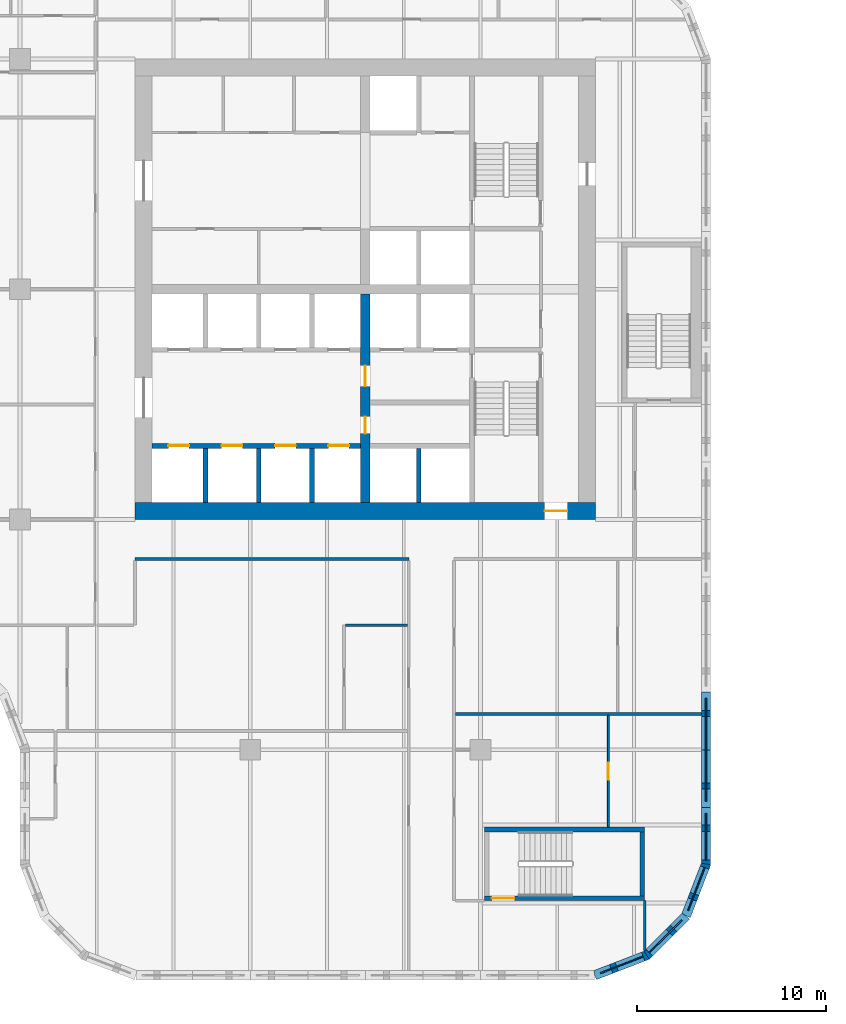
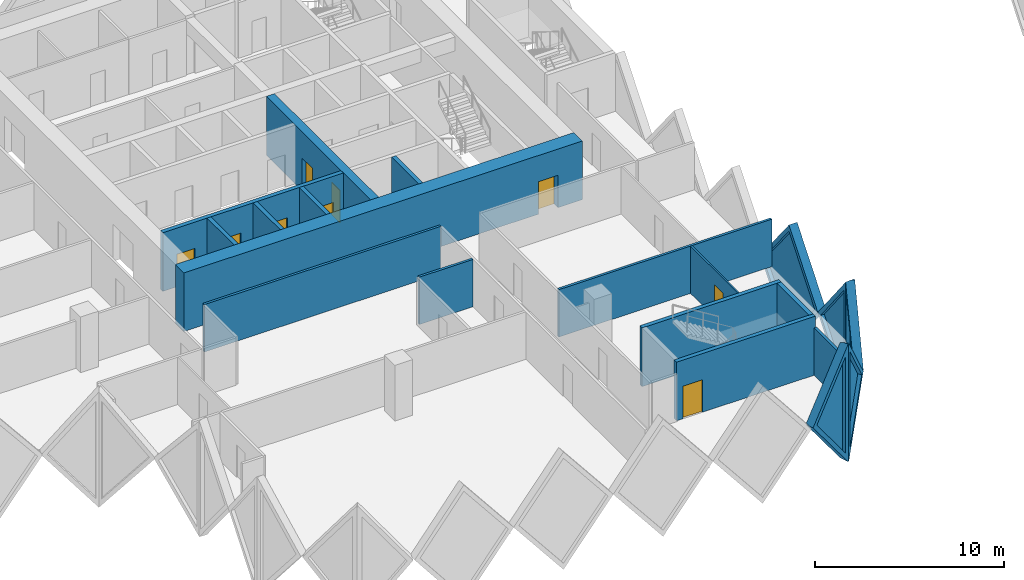
# One storey, part 6 of 18: 20 walls, 9 doors, 5 plates, 14 openings.
"""IFC4 building model written with IfcOpenShell, lengths in metres."""

from ifc_helpers import new_model, si_unit, direction, frame, frame_2d, origin, place, context, subcontext, project, spatial, polyline, rectangle, outline, extrude, faceted_brep, source, transform, mapped, material, layer, layer_set, type_object, element, fill, save


model = new_model("IFC4")

# Units and contexts
model_context = context("Model", 3, precision=1e-05, world=origin(), true_north=direction((0.0, 1.0)))
body_context = subcontext(model_context, "Body", "Model", "MODEL_VIEW")
ifc_project = project(units=[si_unit("LENGTHUNIT", "METRE"), si_unit("AREAUNIT", "SQUARE_METRE"), si_unit("VOLUMEUNIT", "CUBIC_METRE"), si_unit("PLANEANGLEUNIT", "RADIAN"), si_unit("MASSUNIT", "GRAM", prefix="KILO")], contexts=[model_context])

# Site, building, storey
site_placement = place(None, origin())
site = spatial("IfcSite", under=ifc_project, at=site_placement, CompositionType="ELEMENT")
building_placement = place(site_placement, origin())
building = spatial("IfcBuilding", under=site, at=building_placement, Name="Tessera Gate Towers", CompositionType="ELEMENT")
storey_placement = place(building_placement, frame((0.0, 0.0, 37.199951171875)))
storey = spatial("IfcBuildingStorey", under=building, at=storey_placement, Name="L08", CompositionType="ELEMENT", Elevation=37.199951171875)

# Wall, openings, doors
ifc_material_1 = material(Name="Concrete C40/50", Category="concrete")
ifc_layer_1 = layer(ifc_material_1, 0.25)
ifc_layer_set_1 = layer_set([ifc_layer_1], Name="CORE ENCLOSURE WALL 250")
wall_type_1 = type_object("IfcWallType", Name="CORE ENCLOSURE WALL 250", PredefinedType="SOLIDWALL", material=ifc_layer_set_1)
wall_1_placement = place(storey_placement, frame((31.39990234375, 28.300048828125, 0.0), z_axis=(0.0, 0.0, 1.0), x_axis=(1.0, 0.0, 0.0)))
wall_1 = element("IfcWall", 1, at=wall_1_placement, inside=storey, type_object=wall_type_1, Name="L08 shaft and stair enclosure wall", PredefinedType="SOLIDWALL", context=body_context, shape_type="SweptSolid", body=[
    extrude(rectangle(XDim=11.050048828125, YDim=0.25, at=frame_2d((5.52490234375, 0.0))), origin(), (0.0, 0.0, 1.0), 3.800048828125),
])
shared_shape_1 = source(origin(), body_context, "Body", "SweptSolid", [
    extrude(rectangle(XDim=1.10009765625, YDim=2.10009765625, at=frame_2d((0.550048828125, 1.050048828125))), frame((0.0, 0.135009765625, 0.0), z_axis=(0.0, -1.0, 0.0), x_axis=(1.0, 0.0, 0.0)), (0.0, 0.0, 1.0), 0.27001953125),
])
opening_1_placement = place(wall_1_placement, frame((0.862548828125, 0.0, 0.0)))
opening_1 = element("IfcOpeningElement", 2, at=opening_1_placement, cuts=wall_1, Name="Opening LD-LR1", PredefinedType="OPENING", context=body_context, shape_type="MappedRepresentation", body=[
    mapped(shared_shape_1, transform((0.0, 0.0, 0.0), scale=1.0)),
])
opening_2_placement = place(wall_1_placement, frame((3.6875, 0.0, 0.0)))
opening_2 = element("IfcOpeningElement", 3, at=opening_2_placement, cuts=wall_1, Name="Opening LD-LR2", PredefinedType="OPENING", context=body_context, shape_type="MappedRepresentation", body=[
    mapped(shared_shape_1, transform((0.0, 0.0, 0.0), scale=1.0)),
])
opening_3_placement = place(wall_1_placement, frame((6.512451171875, 0.0, 0.0)))
opening_3 = element("IfcOpeningElement", 4, at=opening_3_placement, cuts=wall_1, Name="Opening LD-LR3", PredefinedType="OPENING", context=body_context, shape_type="MappedRepresentation", body=[
    mapped(shared_shape_1, transform((0.0, 0.0, 0.0), scale=1.0)),
])
opening_4_placement = place(wall_1_placement, frame((9.33740234375, 0.0, 0.0)))
opening_4 = element("IfcOpeningElement", 5, at=opening_4_placement, cuts=wall_1, Name="Opening LD-LR4", PredefinedType="OPENING", context=body_context, shape_type="MappedRepresentation", body=[
    mapped(shared_shape_1, transform((0.0, 0.0, 0.0), scale=1.0)),
])
ifc_material_2 = material(Name="Stainless steel", Category="steel")
door_type_1 = type_object("IfcDoorType", Name="CORE DOOR LD 1100x2100", OperationType="DOUBLE_DOOR_SLIDING", PredefinedType="DOOR", material=ifc_material_2)
shared_shape_2 = source(origin(), body_context, "Body", "SweptSolid", [
    extrude(rectangle(XDim=1.10009765625, YDim=2.10009765625, at=frame_2d((0.550048828125, 1.050048828125))), frame((0.0, 0.02490234375, 0.0), z_axis=(0.0, -1.0, 0.0), x_axis=(1.0, 0.0, 0.0)), (0.0, 0.0, 1.0), 0.050048828125),
])
door_1_placement = place(opening_1_placement, origin())
door_1 = element("IfcDoor", 6, at=door_1_placement, inside=storey, type_object=door_type_1, Name="Landing door LR1 L08", OperationType="DOUBLE_DOOR_SLIDING", OverallHeight=2.10009765625, OverallWidth=1.10009765625, PredefinedType="DOOR", context=body_context, shape_type="MappedRepresentation", body=[
    mapped(shared_shape_2, transform((0.0, 0.0, 0.0), scale=1.0)),
])
fill(opening_1, door_1)
door_2_placement = place(opening_2_placement, origin())
door_2 = element("IfcDoor", 7, at=door_2_placement, inside=storey, type_object=door_type_1, Name="Landing door LR2 L08", OperationType="DOUBLE_DOOR_SLIDING", OverallHeight=2.10009765625, OverallWidth=1.10009765625, PredefinedType="DOOR", context=body_context, shape_type="MappedRepresentation", body=[
    mapped(shared_shape_2, transform((0.0, 0.0, 0.0), scale=1.0)),
])
fill(opening_2, door_2)
door_3_placement = place(opening_3_placement, origin())
door_3 = element("IfcDoor", 8, at=door_3_placement, inside=storey, type_object=door_type_1, Name="Landing door LR3 L08", OperationType="DOUBLE_DOOR_SLIDING", OverallHeight=2.10009765625, OverallWidth=1.10009765625, PredefinedType="DOOR", context=body_context, shape_type="MappedRepresentation", body=[
    mapped(shared_shape_2, transform((0.0, 0.0, 0.0), scale=1.0)),
])
fill(opening_3, door_3)
door_4_placement = place(opening_4_placement, origin())
door_4 = element("IfcDoor", 9, at=door_4_placement, inside=storey, type_object=door_type_1, Name="Landing door LR4 L08", OperationType="DOUBLE_DOOR_SLIDING", OverallHeight=2.10009765625, OverallWidth=1.10009765625, PredefinedType="DOOR", context=body_context, shape_type="MappedRepresentation", body=[
    mapped(shared_shape_2, transform((0.0, 0.0, 0.0), scale=1.0)),
])
fill(opening_4, door_4)

# Walls
for number, where, z_axis, x_axis, name in (
    (10, (34.22509765625, 25.300048828125, 0.0), (0.0, 0.0, 1.0), (0.0, 1.0, 0.0), "L08 shaft and stair enclosure wall"),
    (11, (37.050048828125, 25.300048828125, 0.0), (0.0, 0.0, 1.0), (0.0, 1.0, 0.0), "L08 shaft and stair enclosure wall"),
    (12, (39.875, 25.300048828125, 0.0), (0.0, 0.0, 1.0), (0.0, 1.0, 0.0), "L08 shaft and stair enclosure wall"),
    (13, (45.52490234375, 25.300048828125, 0.0), (0.0, 0.0, 1.0), (0.0, 1.0, 0.0), "L08 shaft and stair enclosure wall"),
):
    element("IfcWall", number, at=place(storey_placement, frame(where, z_axis=z_axis, x_axis=x_axis)), inside=storey, type_object=wall_type_1, Name=name, PredefinedType="SOLIDWALL", context=body_context, shape_type="SweptSolid", body=[
        extrude(rectangle(XDim=2.875, YDim=0.25, at=frame_2d((1.4375, 0.0))), origin(), (0.0, 0.0, 1.0), 3.800048828125),
    ])

# Wall, opening, door
wall_2_placement = place(storey_placement, frame((57.5, 4.324951171875, 0.0), z_axis=(0.0, 0.0, 1.0), x_axis=(-1.0, 0.0, 0.0)))
wall_2 = element("IfcWall", 14, at=wall_2_placement, inside=storey, type_object=wall_type_1, Name="L08 ST4 enclosure wall", PredefinedType="SOLIDWALL", context=body_context, shape_type="SweptSolid", body=[
    extrude(rectangle(XDim=8.5, YDim=0.25, at=frame_2d((4.25, 0.0))), origin(), (0.0, 0.0, 1.0), 3.800048828125),
])
shared_shape_3 = source(origin(), body_context, "Body", "SweptSolid", [
    extrude(rectangle(XDim=1.199951171875, YDim=2.10009765625, at=frame_2d((0.60009765625, 1.050048828125))), frame((0.0, 0.135009765625, 0.0), z_axis=(0.0, -1.0, 0.0), x_axis=(1.0, 0.0, 0.0)), (0.0, 0.0, 1.0), 0.27001953125),
])
opening_5_placement = place(wall_2_placement, frame((6.89990234375, 0.0, 0.0)))
opening_5 = element("IfcOpeningElement", 15, at=opening_5_placement, cuts=wall_2, Name="Opening SD-ST4-1", PredefinedType="OPENING", context=body_context, shape_type="MappedRepresentation", body=[
    mapped(shared_shape_3, transform((0.0, 0.0, 0.0), scale=1.0)),
])
ifc_material_3 = material(Name="Hollow steel fire door", Category="steel")
door_type_2 = type_object("IfcDoorType", Name="CORE DOOR SD 1200x2100", OperationType="NOTDEFINED", PredefinedType="DOOR", material=ifc_material_3)
shared_shape_4 = source(origin(), body_context, "Body", "SweptSolid", [
    extrude(rectangle(XDim=1.199951171875, YDim=2.10009765625, at=frame_2d((0.60009765625, 1.050048828125))), frame((0.0, 0.02490234375, 0.0), z_axis=(0.0, -1.0, 0.0), x_axis=(1.0, 0.0, 0.0)), (0.0, 0.0, 1.0), 0.050048828125),
])
door_5_placement = place(opening_5_placement, origin())
door_5 = element("IfcDoor", 16, at=door_5_placement, inside=storey, type_object=door_type_2, Name="Stair door", OperationType="SINGLE_SWING_RIGHT", OverallHeight=2.10009765625, OverallWidth=1.199951171875, PredefinedType="DOOR", context=body_context, shape_type="MappedRepresentation", body=[
    mapped(shared_shape_4, transform((0.0, 0.0, 0.0), scale=1.0)),
])
fill(opening_5, door_5)

# Walls
wall_3_placement = place(storey_placement, frame((49.0, 7.97509765625, 0.0), z_axis=(0.0, 0.0, 1.0), x_axis=(1.0, 0.0, 0.0)))
element("IfcWall", 17, at=wall_3_placement, inside=storey, type_object=wall_type_1, Name="L08 ST4 enclosure wall", PredefinedType="SOLIDWALL", context=body_context, shape_type="SweptSolid", body=[
    extrude(rectangle(XDim=8.5, YDim=0.25, at=frame_2d((4.25, 0.0))), origin(), (0.0, 0.0, 1.0), 3.800048828125),
])
wall_4_placement = place(storey_placement, frame((57.375, 7.85009765625, 0.0), z_axis=(0.0, 0.0, 1.0), x_axis=(0.0, -1.0, 0.0)))
element("IfcWall", 18, at=wall_4_placement, inside=storey, type_object=wall_type_1, Name="L08 ST4 enclosure wall", PredefinedType="SOLIDWALL", context=body_context, shape_type="SweptSolid", body=[
    extrude(rectangle(XDim=3.400146484375, YDim=0.25, at=frame_2d((1.7001953125, 0.0))), origin(), (0.0, 0.0, 1.0), 3.800048828125),
])

# Wall, opening, door
ifc_material_4 = material(Name="Concrete C70/85", Category="concrete")
ifc_layer_2 = layer(ifc_material_4, 0.89990234375)
ifc_layer_set_2 = layer_set([ifc_layer_2], Name="CORE SHEAR WALL 900 C70/85")
wall_type_2 = type_object("IfcWallType", Name="CORE SHEAR WALL 900 C70/85", PredefinedType="SHEAR", material=ifc_layer_set_2)
wall_5_placement = place(storey_placement, frame((54.89990234375, 24.85009765625, 0.0), z_axis=(0.0, 0.0, 1.0), x_axis=(-1.0, 0.0, 0.0)))
wall_5 = element("IfcWall", 19, at=wall_5_placement, inside=storey, type_object=wall_type_2, Name="Core wall S L08", PredefinedType="SHEAR", context=body_context, shape_type="SweptSolid", body=[
    extrude(rectangle(XDim=24.39990234375, YDim=0.89990234375, at=frame_2d((12.199951171875, 0.0))), origin(), (0.0, 0.0, 1.0), 3.800048828125),
])
shared_shape_5 = source(origin(), body_context, "Body", "SweptSolid", [
    extrude(rectangle(XDim=1.199951171875, YDim=2.10009765625, at=frame_2d((0.60009765625, 1.050048828125))), frame((0.0, 0.4599609375, 0.0), z_axis=(0.0, -1.0, 0.0), x_axis=(1.0, 0.0, 0.0)), (0.0, 0.0, 1.0), 0.919921875),
])
opening_6_placement = place(wall_5_placement, frame((1.5, 0.0, 0.0)))
opening_6 = element("IfcOpeningElement", 20, at=opening_6_placement, cuts=wall_5, Name="Opening ED-T1-07-01", PredefinedType="OPENING", context=body_context, shape_type="MappedRepresentation", body=[
    mapped(shared_shape_5, transform((0.0, 0.0, 0.0), scale=1.0)),
])
ifc_material_5 = material(Name="Hollow steel fire door", Category="steel")
door_type_3 = type_object("IfcDoorType", Name="CORE DOOR ED 1200x2100", OperationType="NOTDEFINED", PredefinedType="DOOR", material=ifc_material_5)
door_6_placement = place(opening_6_placement, origin())
door_6 = element("IfcDoor", 21, at=door_6_placement, inside=storey, type_object=door_type_3, Name="Core exit door", OperationType="SINGLE_SWING_LEFT", OverallHeight=2.10009765625, OverallWidth=1.199951171875, PredefinedType="DOOR", context=body_context, shape_type="MappedRepresentation", body=[
    mapped(shared_shape_4, transform((0.0, 0.0, 0.0), scale=1.0)),
])
fill(opening_6, door_6)

# Wall, openings, doors
ifc_material_6 = material(Name="Concrete C70/85", Category="concrete")
ifc_layer_3 = layer(ifc_material_6, 0.5)
ifc_layer_set_3 = layer_set([ifc_layer_3], Name="CORE SPINE WALL 500 C70/85")
wall_type_3 = type_object("IfcWallType", Name="CORE SPINE WALL 500 C70/85", PredefinedType="SHEAR", material=ifc_layer_set_3)
wall_6_placement = place(storey_placement, frame((42.699951171875, 36.35009765625, 0.0), z_axis=(0.0, 0.0, 1.0), x_axis=(0.0, -1.0, 0.0)))
wall_6 = element("IfcWall", 22, at=wall_6_placement, inside=storey, type_object=wall_type_3, Name="Core wall spine L08", PredefinedType="SHEAR", context=body_context, shape_type="SweptSolid", body=[
    extrude(rectangle(XDim=11.050048828125, YDim=0.5, at=frame_2d((5.52490234375, 0.0))), origin(), (0.0, 0.0, 1.0), 3.800048828125),
])
shared_shape_6 = source(origin(), body_context, "Body", "SweptSolid", [
    extrude(rectangle(XDim=0.89990234375, YDim=2.10009765625, at=frame_2d((0.449951171875, 1.050048828125))), frame((0.0, 0.260009765625, 0.0), z_axis=(0.0, -1.0, 0.0), x_axis=(1.0, 0.0, 0.0)), (0.0, 0.0, 1.0), 0.52001953125),
])
opening_7_placement = place(wall_6_placement, frame((6.5, 0.0, 0.0)))
opening_7 = element("IfcOpeningElement", 23, at=opening_7_placement, cuts=wall_6, Name="Opening RD-T1-07-05", PredefinedType="OPENING", context=body_context, shape_type="MappedRepresentation", body=[
    mapped(shared_shape_6, transform((0.0, 0.0, 0.0), scale=1.0)),
])
shared_shape_7 = source(origin(), body_context, "Body", "SweptSolid", [
    extrude(rectangle(XDim=1.10009765625, YDim=2.10009765625, at=frame_2d((0.550048828125, 1.050048828125))), frame((0.0, 0.260009765625, 0.0), z_axis=(0.0, -1.0, 0.0), x_axis=(1.0, 0.0, 0.0)), (0.0, 0.0, 1.0), 0.52001953125),
])
opening_8_placement = place(wall_6_placement, frame((3.800048828125, 0.0, 0.0)))
opening_8 = element("IfcOpeningElement", 24, at=opening_8_placement, cuts=wall_6, Name="Opening FD-T1-07-06", PredefinedType="OPENING", context=body_context, shape_type="MappedRepresentation", body=[
    mapped(shared_shape_7, transform((0.0, 0.0, 0.0), scale=1.0)),
])
ifc_material_7 = material(Name="Hollow steel fire door", Category="steel")
door_type_4 = type_object("IfcDoorType", Name="CORE DOOR RD 900x2100", OperationType="NOTDEFINED", PredefinedType="DOOR", material=ifc_material_7)
shared_shape_8 = source(origin(), body_context, "Body", "SweptSolid", [
    extrude(rectangle(XDim=0.89990234375, YDim=2.10009765625, at=frame_2d((0.449951171875, 1.050048828125))), frame((0.0, 0.02490234375, 0.0), z_axis=(0.0, -1.0, 0.0), x_axis=(1.0, 0.0, 0.0)), (0.0, 0.0, 1.0), 0.050048828125),
])
door_7_placement = place(opening_7_placement, origin())
door_7 = element("IfcDoor", 25, at=door_7_placement, inside=storey, type_object=door_type_4, Name="Core room door", OperationType="SINGLE_SWING_RIGHT", OverallHeight=2.10009765625, OverallWidth=0.89990234375, PredefinedType="DOOR", context=body_context, shape_type="MappedRepresentation", body=[
    mapped(shared_shape_8, transform((0.0, 0.0, 0.0), scale=1.0)),
])
fill(opening_7, door_7)
ifc_material_8 = material(Name="Hollow steel fire door", Category="steel")
door_type_5 = type_object("IfcDoorType", Name="CORE DOOR FD 1100x2100", OperationType="NOTDEFINED", PredefinedType="DOOR", material=ifc_material_8)
door_8_placement = place(opening_8_placement, origin())
door_8 = element("IfcDoor", 26, at=door_8_placement, inside=storey, type_object=door_type_5, Name="Fire-fighting lobby door", OperationType="SINGLE_SWING_LEFT", OverallHeight=2.10009765625, OverallWidth=1.10009765625, PredefinedType="DOOR", context=body_context, shape_type="MappedRepresentation", body=[
    mapped(shared_shape_2, transform((0.0, 0.0, 0.0), scale=1.0)),
])
fill(opening_8, door_8)

# Walls
ifc_material_9 = material(Name="Gypsum board on steel studs, mineral wool", Category="steel")
ifc_layer_4 = layer(ifc_material_9, 0.14990234375)
ifc_layer_set_4 = layer_set([ifc_layer_4], Name="CORRIDOR WALL 150")
wall_type_4 = type_object("IfcWallType", Name="CORRIDOR WALL 150", PredefinedType="PARTITIONING", material=ifc_layer_set_4)
wall_7_placement = place(storey_placement, frame((57.5, 1.55908203125, 0.0), z_axis=(0.0, 0.0, 1.0), x_axis=(0.0, 1.0, 0.0)))
element("IfcWall", 27, at=wall_7_placement, inside=storey, type_object=wall_type_4, Name="T1-L08-PW-002", PredefinedType="PARTITIONING", context=body_context, shape_type="SweptSolid", body=[
    extrude(rectangle(XDim=2.640869140625, YDim=0.14990234375, at=frame_2d((1.3203125, 0.0))), origin(), (0.0, 0.0, 1.0), 3.067138671875),
])
wall_8_placement = place(storey_placement, frame((30.5, 22.300048828125, 0.0), z_axis=(0.0, 0.0, 1.0), x_axis=(1.0, 0.0, 0.0)))
element("IfcWall", 28, at=wall_8_placement, inside=storey, type_object=wall_type_4, Name="T1-L08-PW-022", PredefinedType="PARTITIONING", context=body_context, shape_type="SweptSolid", body=[
    extrude(rectangle(XDim=14.5, YDim=0.14990234375, at=frame_2d((7.25, 0.0))), origin(), (0.0, 0.0, 1.0), 3.067138671875),
])

# Wall, opening, door
ifc_material_10 = material(Name="Gypsum board on steel studs", Category="steel")
ifc_layer_5 = layer(ifc_material_10, 0.10009765625)
ifc_layer_set_5 = layer_set([ifc_layer_5], Name="PARTITION 100")
wall_type_5 = type_object("IfcWallType", Name="PARTITION 100", PredefinedType="PARTITIONING", material=ifc_layer_set_5)
wall_9_placement = place(storey_placement, frame((55.574951171875, 14.02392578125, 0.0), z_axis=(0.0, 0.0, 1.0), x_axis=(0.0, -1.0, 0.0)))
wall_9 = element("IfcWall", 29, at=wall_9_placement, inside=storey, type_object=wall_type_5, Name="T1-L08-PW-005", PredefinedType="PARTITIONING", context=body_context, shape_type="SweptSolid", body=[
    extrude(rectangle(XDim=5.923828125, YDim=0.10009765625, at=frame_2d((2.9619140625, 0.0))), origin(), (0.0, 0.0, 1.0), 3.067138671875),
])
shared_shape_9 = source(origin(), body_context, "Body", "SweptSolid", [
    extrude(rectangle(XDim=0.89990234375, YDim=2.10009765625, at=frame_2d((0.449951171875, 1.050048828125))), frame((0.0, 0.06005859375, 0.0), z_axis=(0.0, -1.0, 0.0), x_axis=(1.0, 0.0, 0.0)), (0.0, 0.0, 1.0), 0.1201171875),
])
opening_9_placement = place(wall_9_placement, frame((2.52392578125, 0.0, 0.0)))
opening_9 = element("IfcOpeningElement", 30, at=opening_9_placement, cuts=wall_9, Name="Opening D190-A03-08", PredefinedType="OPENING", context=body_context, shape_type="MappedRepresentation", body=[
    mapped(shared_shape_9, transform((0.0, 0.0, 0.0), scale=1.0)),
])
ifc_material_11 = material(Name="Timber door leaf in steel frame", Category="steel")
door_type_6 = type_object("IfcDoorType", Name="INTERNAL DOOR 900 NOT RATED", OperationType="NOTDEFINED", PredefinedType="DOOR", material=ifc_material_11)
door_9_placement = place(opening_9_placement, origin())
door_9 = element("IfcDoor", 31, at=door_9_placement, inside=storey, type_object=door_type_6, Name="T1-L08-PD-012", OperationType="SINGLE_SWING_RIGHT", OverallHeight=2.10009765625, OverallWidth=0.89990234375, PredefinedType="DOOR", context=body_context, shape_type="MappedRepresentation", body=[
    mapped(shared_shape_8, transform((0.0, 0.0, 0.0), scale=1.0)),
])
fill(opening_9, door_9)

# Walls
ifc_material_12 = material(Name="Gypsum board on steel studs, mineral wool", Category="steel")
ifc_layer_6 = layer(ifc_material_12, 0.14990234375)
ifc_layer_set_6 = layer_set([ifc_layer_6], Name="TENANCY WALL 150")
wall_type_6 = type_object("IfcWallType", Name="TENANCY WALL 150", PredefinedType="PARTITIONING", material=ifc_layer_set_6)
wall_10_placement = place(storey_placement, frame((47.47607421875, 14.10009765625, 0.0), z_axis=(0.0, 0.0, 1.0), x_axis=(1.0, 0.0, 0.0)))
element("IfcWall", 32, at=wall_10_placement, inside=storey, type_object=wall_type_6, Name="T1-L08-PW-013", PredefinedType="PARTITIONING", context=body_context, shape_type="SweptSolid", body=[
    extrude(rectangle(XDim=13.02392578125, YDim=0.14990234375, at=frame_2d((6.511962890625, 0.0))), origin(), (0.0, 0.0, 1.0), 3.067138671875),
])
wall_11_placement = place(storey_placement, frame((41.65087890625, 18.800048828125, 0.0), z_axis=(0.0, 0.0, 1.0), x_axis=(1.0, 0.0, 0.0)))
element("IfcWall", 33, at=wall_11_placement, inside=storey, type_object=wall_type_6, Name="T1-L08-PW-020", PredefinedType="PARTITIONING", context=body_context, shape_type="SweptSolid", body=[
    extrude(rectangle(XDim=3.273193359375, YDim=0.14990234375, at=frame_2d((1.63671875, 0.0))), origin(), (0.0, 0.0, 1.0), 3.067138671875),
])

# Wall, opening, plate
ifc_material_13 = material(Name="Precast concrete C60/75 white", Category="concrete")
ifc_layer_7 = layer(ifc_material_13, 0.5)
ifc_layer_set_7 = layer_set([ifc_layer_7], Name="TS1 tessera")
wall_type_7 = type_object("IfcWallType", Name="TS1 tessera", PredefinedType="SOLIDWALL", material=ifc_layer_set_7)
shared_shape_10 = source(origin(), body_context, "Body", "SweptSolid", [
    extrude(outline(polyline([(3.050048828125, 0.0), (6.10009765625, 3.800048828125), (3.050048828125, 7.60009765625), (0.0, 3.800048828125), (3.050048828125, 0.0)])), frame((0.0, 0.25, 0.0), z_axis=(0.0, -1.0, 0.0), x_axis=(1.0, 0.0, 0.0)), (0.0, 0.0, 1.0), 0.5),
])
wall_12_placement = place(storey_placement, frame((60.75, 9.14990234375, -3.800048828125), z_axis=(0.0, 0.0, 1.0), x_axis=(0.0, 1.0, 0.0)))
wall_12 = element("IfcWall", 34, at=wall_12_placement, inside=storey, type_object=wall_type_7, Name="Precast tessera T1 TS1-0073", PredefinedType="SOLIDWALL", context=body_context, shape_type="MappedRepresentation", body=[
    mapped(shared_shape_10, transform((0.0, 0.0, 0.0), scale=1.0)),
])
shared_shape_11 = source(origin(), body_context, "Body", "SweptSolid", [
    extrude(outline(polyline([(3.050048828125, 0.3994140625), (5.779541015625, 3.800048828125), (3.050048828125, 7.20068359375), (0.320556640625, 3.800048828125), (3.050048828125, 0.3994140625)])), frame((0.0, 0.260009765625, 0.0), z_axis=(0.0, -1.0, 0.0), x_axis=(1.0, 0.0, 0.0)), (0.0, 0.0, 1.0), 0.52001953125),
])
opening_10_placement = place(wall_12_placement, origin())
opening_10 = element("IfcOpeningElement", 35, at=opening_10_placement, cuts=wall_12, Name="Opening T1-PL2-0149", PredefinedType="OPENING", context=body_context, shape_type="MappedRepresentation", body=[
    mapped(shared_shape_11, transform((0.0, 0.0, 0.0), scale=1.0)),
])
ifc_material_14 = material(Name="Low-e laminated glass", Category="glass")
ifc_layer_8 = layer(ifc_material_14, 0.06005859375)
ifc_layer_set_8 = layer_set([ifc_layer_8], Name="PL2 rhombic pane")
plate_type = type_object("IfcPlateType", Name="PL2 rhombic pane", PredefinedType="SHEET", material=ifc_layer_set_8)
shared_shape_12 = source(origin(), body_context, "Body", "SweptSolid", [
    extrude(outline(polyline([(3.050048828125, 0.3994140625), (5.779541015625, 3.800048828125), (3.050048828125, 7.20068359375), (0.320556640625, 3.800048828125), (3.050048828125, 0.3994140625)])), frame((0.0, 0.030029296875, 0.0), z_axis=(0.0, -1.0, 0.0), x_axis=(1.0, 0.0, 0.0)), (0.0, 0.0, 1.0), 0.06005859375),
])
plate_1_placement = place(opening_10_placement, origin())
plate_1 = element("IfcPlate", 36, at=plate_1_placement, inside=storey, type_object=plate_type, Name="Glass pane T1 PL2-0149", PredefinedType="SHEET", context=body_context, shape_type="MappedRepresentation", body=[
    mapped(shared_shape_12, transform((0.0, 0.0, 0.0), scale=1.0)),
])
fill(opening_10, plate_1)

ifc_material_15 = material(Name="Precast concrete C60/75 white", Category="concrete")
ifc_layer_9 = layer(ifc_material_15, 0.5)
ifc_layer_set_9 = layer_set([ifc_layer_9], Name="TS3 corner tessera")
wall_type_8 = type_object("IfcWallType", Name="TS3 corner tessera", PredefinedType="SOLIDWALL", material=ifc_layer_set_9)
shared_shape_13 = source(origin(), body_context, "Body", "Brep", [
    faceted_brep([(2.950439453125, -0.25, 0.0), (3.00341796875, -0.25, 0.068359375), (3.00341796875, -0.25, 7.53173828125), (2.950439453125, -0.25, 7.60009765625), (0.0, -0.25, 3.800048828125), (0.046630859375, 0.25, 3.860107421875), (2.897705078125, 0.25, 7.531982421875), (2.897705078125, 0.25, 0.068115234375), (0.046630859375, 0.25, 3.739990234375), (2.950439453125, 0.00048828125, 0.0), (2.950439453125, 0.00048828125, 7.60009765625), (0.0, 0.0, 3.800048828125)], [[[0, 1, 2, 3, 4]], [[5, 6, 7, 8]], [[1, 0, 9]], [[10, 3, 2]], [[6, 5, 11, 4, 3, 10]], [[8, 7, 9, 0, 4, 11]], [[8, 11, 5]], [[1, 9, 7, 6, 10, 2]]]),
])
wall_13_placement = place(storey_placement, frame((54.853515625, 0.25, -3.800048828125), z_axis=(0.0, 0.0, 1.0), x_axis=(0.932970071518, 0.359953949349, 0.0)))
wall_13 = element("IfcWall", 37, at=wall_13_placement, inside=storey, type_object=wall_type_8, Name="Precast corner tessera T1 TS3-0145", PredefinedType="SOLIDWALL", context=body_context, shape_type="MappedRepresentation", body=[
    mapped(shared_shape_13, transform((0.0, 0.0, 0.0), scale=1.0)),
])
shared_shape_14 = source(origin(), body_context, "Body", "SweptSolid", [
    extrude(outline(polyline([(2.75048828125, 6.934814453125), (0.31640625, 3.800048828125), (2.75048828125, 0.665283203125), (2.75048828125, 6.934814453125)])), frame((0.0, 0.260009765625, 0.0), z_axis=(0.0, -1.0, 0.0), x_axis=(1.0, 0.0, 0.0)), (0.0, 0.0, 1.0), 0.52001953125),
])
opening_11_placement = place(wall_13_placement, origin())
opening_11 = element("IfcOpeningElement", 38, at=opening_11_placement, cuts=wall_13, Name="Opening T1-PL2-0145", PredefinedType="OPENING", context=body_context, shape_type="MappedRepresentation", body=[
    mapped(shared_shape_14, transform((0.0, 0.0, 0.0), scale=1.0)),
])
shared_shape_15 = source(origin(), body_context, "Body", "SweptSolid", [
    extrude(outline(polyline([(2.75048828125, 6.934814453125), (0.31640625, 3.800048828125), (2.75048828125, 0.665283203125), (2.75048828125, 6.934814453125)])), frame((0.0, 0.030029296875, 0.0), z_axis=(0.0, -1.0, 0.0), x_axis=(1.0, 0.0, 0.0)), (0.0, 0.0, 1.0), 0.06005859375),
])
plate_2_placement = place(opening_11_placement, origin())
plate_2 = element("IfcPlate", 39, at=plate_2_placement, inside=storey, type_object=plate_type, Name="Glass pane T1 PL2-0145", PredefinedType="SHEET", context=body_context, shape_type="MappedRepresentation", body=[
    mapped(shared_shape_15, transform((0.0, 0.0, 0.0), scale=1.0)),
])
fill(opening_11, plate_2)

shared_shape_16 = source(origin(), body_context, "Body", "Brep", [
    faceted_brep([(0.052978515625, -0.25, 0.0), (2.9970703125, -0.25, 3.800048828125), (0.052978515625, -0.25, 7.60009765625), (0.0, -0.25, 7.531982421875), (0.0, -0.25, 0.068115234375), (0.10595703125, 0.25, 7.53173828125), (2.944091796875, 0.25, 3.8681640625), (2.944091796875, 0.25, 3.73193359375), (0.10595703125, 0.25, 0.068359375), (2.9970703125, 0.000244140625, 3.800048828125), (0.052978515625, 0.0, 0.0), (0.052978515625, 0.0, 7.60009765625)], [[[0, 1, 2, 3, 4]], [[5, 6, 7, 8]], [[8, 7, 9, 1, 0, 10]], [[6, 5, 11, 2, 1, 9]], [[3, 2, 11]], [[10, 0, 4]], [[8, 10, 4, 3, 11, 5]], [[9, 7, 6]]]),
])
wall_14_placement = place(storey_placement, frame((57.56884765625, 1.2744140625, -3.800048828125), z_axis=(0.0, 0.0, 1.0), x_axis=(0.707066050402, 0.707147509625, 0.0)))
wall_14 = element("IfcWall", 40, at=wall_14_placement, inside=storey, type_object=wall_type_8, Name="Precast corner tessera T1 TS3-0146", PredefinedType="SOLIDWALL", context=body_context, shape_type="MappedRepresentation", body=[
    mapped(shared_shape_16, transform((0.0, 0.0, 0.0), scale=1.0)),
])
shared_shape_17 = source(origin(), body_context, "Body", "SweptSolid", [
    extrude(outline(polyline([(0.2529296875, 0.66650390625), (2.680908203125, 3.800048828125), (0.2529296875, 6.933837890625), (0.2529296875, 0.66650390625)])), frame((0.0, 0.260009765625, 0.0), z_axis=(0.0, -1.0, 0.0), x_axis=(1.0, 0.0, 0.0)), (0.0, 0.0, 1.0), 0.52001953125),
])
opening_12_placement = place(wall_14_placement, origin())
opening_12 = element("IfcOpeningElement", 41, at=opening_12_placement, cuts=wall_14, Name="Opening T1-PL2-0146", PredefinedType="OPENING", context=body_context, shape_type="MappedRepresentation", body=[
    mapped(shared_shape_17, transform((0.0, 0.0, 0.0), scale=1.0)),
])
shared_shape_18 = source(origin(), body_context, "Body", "SweptSolid", [
    extrude(outline(polyline([(0.2529296875, 0.66650390625), (2.680908203125, 3.800048828125), (0.2529296875, 6.933837890625), (0.2529296875, 0.66650390625)])), frame((0.0, 0.030029296875, 0.0), z_axis=(0.0, -1.0, 0.0), x_axis=(1.0, 0.0, 0.0)), (0.0, 0.0, 1.0), 0.06005859375),
])
plate_3_placement = place(opening_12_placement, origin())
plate_3 = element("IfcPlate", 42, at=plate_3_placement, inside=storey, type_object=plate_type, Name="Glass pane T1 PL2-0146", PredefinedType="SHEET", context=body_context, shape_type="MappedRepresentation", body=[
    mapped(shared_shape_18, transform((0.0, 0.0, 0.0), scale=1.0)),
])
fill(opening_12, plate_3)

shared_shape_19 = source(origin(), body_context, "Body", "Brep", [
    faceted_brep([(2.950439453125, -0.25, 0.0), (2.9970703125, -0.25, 0.05908203125), (2.9970703125, -0.25, 7.541015625), (2.950439453125, -0.25, 7.60009765625), (0.0, -0.25, 3.800048828125), (0.052978515625, 0.25, 3.8681640625), (2.904052734375, 0.25, 7.540283203125), (2.904052734375, 0.25, 0.059814453125), (0.052978515625, 0.25, 3.73193359375), (2.950439453125, 0.00048828125, 0.0), (2.950439453125, 0.00048828125, 7.60009765625), (0.0, 0.0, 3.800048828125)], [[[0, 1, 2, 3, 4]], [[5, 6, 7, 8]], [[1, 0, 9]], [[10, 3, 2]], [[6, 5, 11, 4, 3, 10]], [[8, 7, 9, 0, 4, 11]], [[8, 11, 5]], [[1, 9, 7, 6, 10, 2]]]),
])
wall_15_placement = place(storey_placement, frame((59.68798828125, 3.393798828125, -3.800048828125), z_axis=(0.0, 0.0, 1.0), x_axis=(0.359972353723, 0.932962970624, 0.0)))
wall_15 = element("IfcWall", 43, at=wall_15_placement, inside=storey, type_object=wall_type_8, Name="Precast corner tessera T1 TS3-0147", PredefinedType="SOLIDWALL", context=body_context, shape_type="MappedRepresentation", body=[
    mapped(shared_shape_19, transform((0.0, 0.0, 0.0), scale=1.0)),
])
opening_13_placement = place(wall_15_placement, origin())
opening_13 = element("IfcOpeningElement", 44, at=opening_13_placement, cuts=wall_15, Name="Opening T1-PL2-0147", PredefinedType="OPENING", context=body_context, shape_type="MappedRepresentation", body=[
    mapped(shared_shape_14, transform((0.0, 0.0, 0.0), scale=1.0)),
])
plate_4_placement = place(opening_13_placement, origin())
plate_4 = element("IfcPlate", 45, at=plate_4_placement, inside=storey, type_object=plate_type, Name="Glass pane T1 PL2-0147", PredefinedType="SHEET", context=body_context, shape_type="MappedRepresentation", body=[
    mapped(shared_shape_15, transform((0.0, 0.0, 0.0), scale=1.0)),
])
fill(opening_13, plate_4)

shared_shape_20 = source(origin(), body_context, "Body", "Brep", [
    faceted_brep([(0.046630859375, -0.25, 0.0), (3.050048828125, -0.25, 3.800048828125), (0.046630859375, -0.25, 7.60009765625), (0.0, -0.25, 7.5400390625), (0.0, -0.25, 0.06005859375), (0.09326171875, 0.25, 7.541259765625), (3.050048828125, 0.25, 3.800048828125), (0.09326171875, 0.25, 0.058837890625), (0.046630859375, 0.0, 0.0), (0.046630859375, 0.0, 7.60009765625)], [[[0, 1, 2, 3, 4]], [[5, 6, 7]], [[7, 6, 1, 0, 8]], [[6, 5, 9, 2, 1]], [[3, 2, 9]], [[8, 0, 4]], [[7, 8, 4, 3, 9, 5]]]),
])
wall_16_placement = place(storey_placement, frame((60.75, 6.099853515625, -3.800048828125), z_axis=(0.0, 0.0, 1.0), x_axis=(0.0, 1.0, 0.0)))
wall_16 = element("IfcWall", 46, at=wall_16_placement, inside=storey, type_object=wall_type_8, Name="Precast corner tessera T1 TS3-0148", PredefinedType="SOLIDWALL", context=body_context, shape_type="MappedRepresentation", body=[
    mapped(shared_shape_20, transform((0.0, 0.0, 0.0), scale=1.0)),
])
shared_shape_21 = source(origin(), body_context, "Body", "SweptSolid", [
    extrude(outline(polyline([(0.24658203125, 0.65625), (2.7314453125, 3.800048828125), (0.24658203125, 6.94384765625), (0.24658203125, 0.65625)])), frame((0.0, 0.260009765625, 0.0), z_axis=(0.0, -1.0, 0.0), x_axis=(1.0, 0.0, 0.0)), (0.0, 0.0, 1.0), 0.52001953125),
])
opening_14_placement = place(wall_16_placement, origin())
opening_14 = element("IfcOpeningElement", 47, at=opening_14_placement, cuts=wall_16, Name="Opening T1-PL2-0148", PredefinedType="OPENING", context=body_context, shape_type="MappedRepresentation", body=[
    mapped(shared_shape_21, transform((0.0, 0.0, 0.0), scale=1.0)),
])
shared_shape_22 = source(origin(), body_context, "Body", "SweptSolid", [
    extrude(outline(polyline([(0.24658203125, 0.65625), (2.7314453125, 3.800048828125), (0.24658203125, 6.94384765625), (0.24658203125, 0.65625)])), frame((0.0, 0.030029296875, 0.0), z_axis=(0.0, -1.0, 0.0), x_axis=(1.0, 0.0, 0.0)), (0.0, 0.0, 1.0), 0.06005859375),
])
plate_5_placement = place(opening_14_placement, origin())
plate_5 = element("IfcPlate", 48, at=plate_5_placement, inside=storey, type_object=plate_type, Name="Glass pane T1 PL2-0148", PredefinedType="SHEET", context=body_context, shape_type="MappedRepresentation", body=[
    mapped(shared_shape_22, transform((0.0, 0.0, 0.0), scale=1.0)),
])
fill(opening_14, plate_5)

save(model, "model.ifc")
